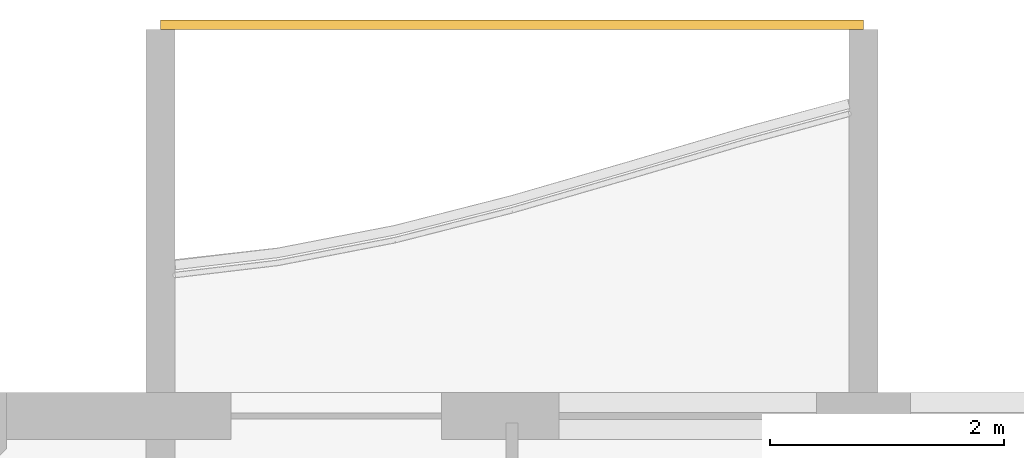
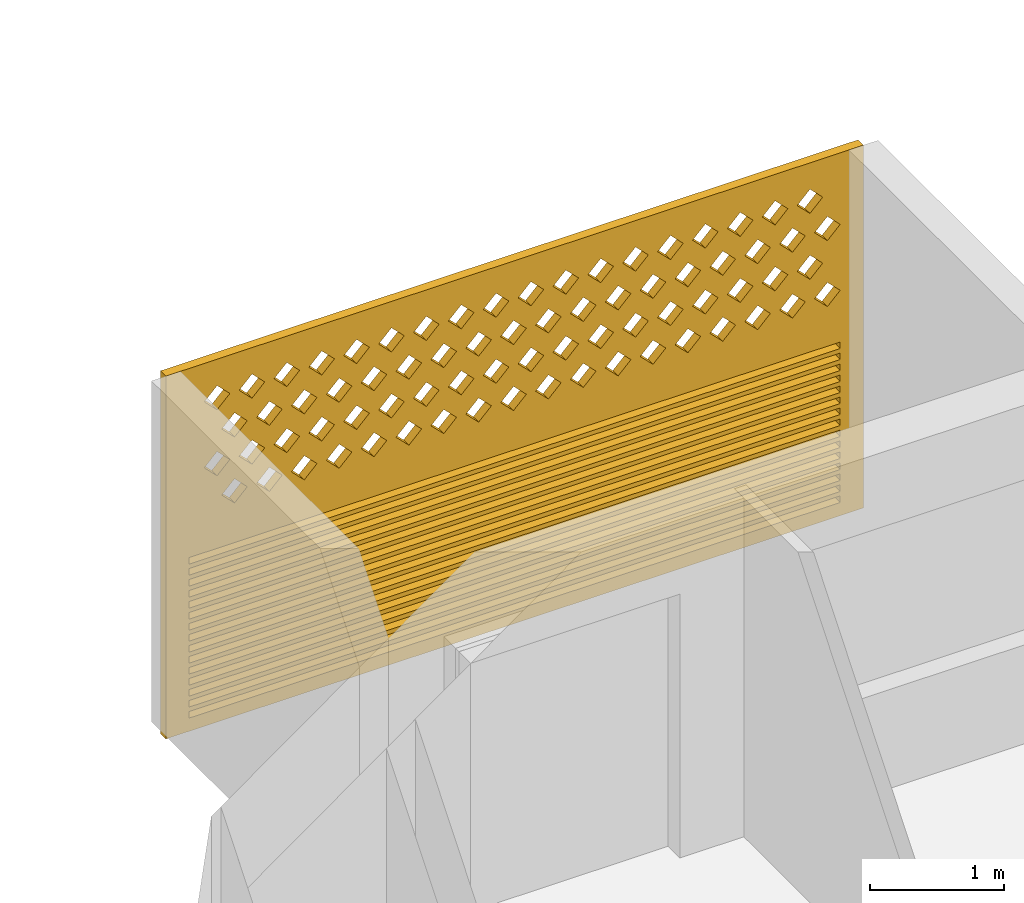
# One storey, part 16 of 26: 1 covering.
"""IFC4 building model written with IfcOpenShell, lengths in metres."""

from ifc_helpers import new_model, si_unit, direction, frame, origin, place, context, subcontext, project, spatial, polyline, outline, extrude, source, transform, mapped, material, material_profile, profile_set, type_object, element, save


model = new_model("IFC4")

# Units and contexts
model_context = context("Model", 3, precision=1e-05, world=origin(), true_north=direction((0.0, 1.0)))
body_context = subcontext(model_context, "Body", "Model", "MODEL_VIEW")
ifc_project = project(units=[si_unit("LENGTHUNIT", "METRE"), si_unit("AREAUNIT", "SQUARE_METRE"), si_unit("VOLUMEUNIT", "CUBIC_METRE"), si_unit("PLANEANGLEUNIT", "RADIAN"), si_unit("MASSUNIT", "GRAM", prefix="KILO")], contexts=[model_context])

# Site, building, storey
site_placement = place(None, origin())
site = spatial("IfcSite", under=ifc_project, at=site_placement, CompositionType="ELEMENT")
building_placement = place(site_placement, origin())
building = spatial("IfcBuilding", under=site, at=building_placement, Name="Poui Terraces", CompositionType="ELEMENT")
storey_placement = place(building_placement, frame((0.0, 0.0, 247.800048828125)))
storey = spatial("IfcBuildingStorey", under=building, at=storey_placement, Name="L69", CompositionType="ELEMENT", Elevation=247.800048828125)

# Covering
ifc_material = material(Name="Terracotta screen", Category="masonry")
ifc_material_profile = material_profile(ifc_material, outline(polyline([(-3.0, -1.64990234375), (3.0, -1.64990234375), (3.0, 1.64990234375), (-3.0, 1.64990234375), (-3.0, -1.64990234375)]), holes=[polyline([(-2.800048828125, 0.39990234375), (-2.68994140625, 0.2900390625), (-2.580078125, 0.39990234375), (-2.68994140625, 0.510009765625), (-2.800048828125, 0.39990234375)]), polyline([(-2.5, 0.39990234375), (-2.389892578125, 0.2900390625), (-2.280029296875, 0.39990234375), (-2.389892578125, 0.510009765625), (-2.5, 0.39990234375)]), polyline([(-2.199951171875, 0.39990234375), (-2.090087890625, 0.2900390625), (-1.97998046875, 0.39990234375), (-2.090087890625, 0.510009765625), (-2.199951171875, 0.39990234375)]), polyline([(-1.89990234375, 0.39990234375), (-1.7900390625, 0.2900390625), (-1.679931640625, 0.39990234375), (-1.7900390625, 0.510009765625), (-1.89990234375, 0.39990234375)]), polyline([(-1.60009765625, 0.39990234375), (-1.489990234375, 0.2900390625), (-1.3798828125, 0.39990234375), (-1.489990234375, 0.510009765625), (-1.60009765625, 0.39990234375)]), polyline([(-1.300048828125, 0.39990234375), (-1.18994140625, 0.2900390625), (-1.080078125, 0.39990234375), (-1.18994140625, 0.510009765625), (-1.300048828125, 0.39990234375)]), polyline([(-1.0, 0.39990234375), (-0.889892578125, 0.2900390625), (-0.780029296875, 0.39990234375), (-0.889892578125, 0.510009765625), (-1.0, 0.39990234375)]), polyline([(-0.699951171875, 0.39990234375), (-0.590087890625, 0.2900390625), (-0.47998046875, 0.39990234375), (-0.590087890625, 0.510009765625), (-0.699951171875, 0.39990234375)]), polyline([(-0.39990234375, 0.39990234375), (-0.2900390625, 0.2900390625), (-0.179931640625, 0.39990234375), (-0.2900390625, 0.510009765625), (-0.39990234375, 0.39990234375)]), polyline([(-0.10009765625, 0.39990234375), (0.010009765625, 0.2900390625), (0.1201171875, 0.39990234375), (0.010009765625, 0.510009765625), (-0.10009765625, 0.39990234375)]), polyline([(0.199951171875, 0.39990234375), (0.31005859375, 0.2900390625), (0.419921875, 0.39990234375), (0.31005859375, 0.510009765625), (0.199951171875, 0.39990234375)]), polyline([(0.5, 0.39990234375), (0.610107421875, 0.2900390625), (0.719970703125, 0.39990234375), (0.610107421875, 0.510009765625), (0.5, 0.39990234375)]), polyline([(0.800048828125, 0.39990234375), (0.909912109375, 0.2900390625), (1.02001953125, 0.39990234375), (0.909912109375, 0.510009765625), (0.800048828125, 0.39990234375)]), polyline([(1.10009765625, 0.39990234375), (1.2099609375, 0.2900390625), (1.320068359375, 0.39990234375), (1.2099609375, 0.510009765625), (1.10009765625, 0.39990234375)]), polyline([(1.39990234375, 0.39990234375), (1.510009765625, 0.2900390625), (1.6201171875, 0.39990234375), (1.510009765625, 0.510009765625), (1.39990234375, 0.39990234375)]), polyline([(1.699951171875, 0.39990234375), (1.81005859375, 0.2900390625), (1.919921875, 0.39990234375), (1.81005859375, 0.510009765625), (1.699951171875, 0.39990234375)]), polyline([(2.0, 0.39990234375), (2.110107421875, 0.2900390625), (2.219970703125, 0.39990234375), (2.110107421875, 0.510009765625), (2.0, 0.39990234375)]), polyline([(2.300048828125, 0.39990234375), (2.409912109375, 0.2900390625), (2.52001953125, 0.39990234375), (2.409912109375, 0.510009765625), (2.300048828125, 0.39990234375)]), polyline([(-2.64990234375, 0.699951171875), (-2.5400390625, 0.590087890625), (-2.429931640625, 0.699951171875), (-2.5400390625, 0.81005859375), (-2.64990234375, 0.699951171875)]), polyline([(-2.35009765625, 0.699951171875), (-2.239990234375, 0.590087890625), (-2.1298828125, 0.699951171875), (-2.239990234375, 0.81005859375), (-2.35009765625, 0.699951171875)]), polyline([(-2.050048828125, 0.699951171875), (-1.93994140625, 0.590087890625), (-1.830078125, 0.699951171875), (-1.93994140625, 0.81005859375), (-2.050048828125, 0.699951171875)]), polyline([(-1.75, 0.699951171875), (-1.639892578125, 0.590087890625), (-1.530029296875, 0.699951171875), (-1.639892578125, 0.81005859375), (-1.75, 0.699951171875)]), polyline([(-1.449951171875, 0.699951171875), (-1.340087890625, 0.590087890625), (-1.22998046875, 0.699951171875), (-1.340087890625, 0.81005859375), (-1.449951171875, 0.699951171875)]), polyline([(-1.14990234375, 0.699951171875), (-1.0400390625, 0.590087890625), (-0.929931640625, 0.699951171875), (-1.0400390625, 0.81005859375), (-1.14990234375, 0.699951171875)]), polyline([(-0.85009765625, 0.699951171875), (-0.739990234375, 0.590087890625), (-0.6298828125, 0.699951171875), (-0.739990234375, 0.81005859375), (-0.85009765625, 0.699951171875)]), polyline([(-0.550048828125, 0.699951171875), (-0.43994140625, 0.590087890625), (-0.330078125, 0.699951171875), (-0.43994140625, 0.81005859375), (-0.550048828125, 0.699951171875)]), polyline([(-0.25, 0.699951171875), (-0.139892578125, 0.590087890625), (-0.030029296875, 0.699951171875), (-0.139892578125, 0.81005859375), (-0.25, 0.699951171875)]), polyline([(0.050048828125, 0.699951171875), (0.159912109375, 0.590087890625), (0.27001953125, 0.699951171875), (0.159912109375, 0.81005859375), (0.050048828125, 0.699951171875)]), polyline([(0.35009765625, 0.699951171875), (0.4599609375, 0.590087890625), (0.570068359375, 0.699951171875), (0.4599609375, 0.81005859375), (0.35009765625, 0.699951171875)]), polyline([(0.64990234375, 0.699951171875), (0.760009765625, 0.590087890625), (0.8701171875, 0.699951171875), (0.760009765625, 0.81005859375), (0.64990234375, 0.699951171875)]), polyline([(0.949951171875, 0.699951171875), (1.06005859375, 0.590087890625), (1.169921875, 0.699951171875), (1.06005859375, 0.81005859375), (0.949951171875, 0.699951171875)]), polyline([(1.25, 0.699951171875), (1.360107421875, 0.590087890625), (1.469970703125, 0.699951171875), (1.360107421875, 0.81005859375), (1.25, 0.699951171875)]), polyline([(1.550048828125, 0.699951171875), (1.659912109375, 0.590087890625), (1.77001953125, 0.699951171875), (1.659912109375, 0.81005859375), (1.550048828125, 0.699951171875)]), polyline([(1.85009765625, 0.699951171875), (1.9599609375, 0.590087890625), (2.070068359375, 0.699951171875), (1.9599609375, 0.81005859375), (1.85009765625, 0.699951171875)]), polyline([(2.14990234375, 0.699951171875), (2.260009765625, 0.590087890625), (2.3701171875, 0.699951171875), (2.260009765625, 0.81005859375), (2.14990234375, 0.699951171875)]), polyline([(2.449951171875, 0.699951171875), (2.56005859375, 0.590087890625), (2.669921875, 0.699951171875), (2.56005859375, 0.81005859375), (2.449951171875, 0.699951171875)]), polyline([(-2.800048828125, 1.0), (-2.68994140625, 0.889892578125), (-2.580078125, 1.0), (-2.68994140625, 1.110107421875), (-2.800048828125, 1.0)]), polyline([(-2.5, 1.0), (-2.389892578125, 0.889892578125), (-2.280029296875, 1.0), (-2.389892578125, 1.110107421875), (-2.5, 1.0)]), polyline([(-2.199951171875, 1.0), (-2.090087890625, 0.889892578125), (-1.97998046875, 1.0), (-2.090087890625, 1.110107421875), (-2.199951171875, 1.0)]), polyline([(-1.89990234375, 1.0), (-1.7900390625, 0.889892578125), (-1.679931640625, 1.0), (-1.7900390625, 1.110107421875), (-1.89990234375, 1.0)]), polyline([(-1.60009765625, 1.0), (-1.489990234375, 0.889892578125), (-1.3798828125, 1.0), (-1.489990234375, 1.110107421875), (-1.60009765625, 1.0)]), polyline([(-1.300048828125, 1.0), (-1.18994140625, 0.889892578125), (-1.080078125, 1.0), (-1.18994140625, 1.110107421875), (-1.300048828125, 1.0)]), polyline([(-1.0, 1.0), (-0.889892578125, 0.889892578125), (-0.780029296875, 1.0), (-0.889892578125, 1.110107421875), (-1.0, 1.0)]), polyline([(-0.699951171875, 1.0), (-0.590087890625, 0.889892578125), (-0.47998046875, 1.0), (-0.590087890625, 1.110107421875), (-0.699951171875, 1.0)]), polyline([(-0.39990234375, 1.0), (-0.2900390625, 0.889892578125), (-0.179931640625, 1.0), (-0.2900390625, 1.110107421875), (-0.39990234375, 1.0)]), polyline([(-0.10009765625, 1.0), (0.010009765625, 0.889892578125), (0.1201171875, 1.0), (0.010009765625, 1.110107421875), (-0.10009765625, 1.0)]), polyline([(0.199951171875, 1.0), (0.31005859375, 0.889892578125), (0.419921875, 1.0), (0.31005859375, 1.110107421875), (0.199951171875, 1.0)]), polyline([(0.5, 1.0), (0.610107421875, 0.889892578125), (0.719970703125, 1.0), (0.610107421875, 1.110107421875), (0.5, 1.0)]), polyline([(0.800048828125, 1.0), (0.909912109375, 0.889892578125), (1.02001953125, 1.0), (0.909912109375, 1.110107421875), (0.800048828125, 1.0)]), polyline([(1.10009765625, 1.0), (1.2099609375, 0.889892578125), (1.320068359375, 1.0), (1.2099609375, 1.110107421875), (1.10009765625, 1.0)]), polyline([(1.39990234375, 1.0), (1.510009765625, 0.889892578125), (1.6201171875, 1.0), (1.510009765625, 1.110107421875), (1.39990234375, 1.0)]), polyline([(1.699951171875, 1.0), (1.81005859375, 0.889892578125), (1.919921875, 1.0), (1.81005859375, 1.110107421875), (1.699951171875, 1.0)]), polyline([(2.0, 1.0), (2.110107421875, 0.889892578125), (2.219970703125, 1.0), (2.110107421875, 1.110107421875), (2.0, 1.0)]), polyline([(2.300048828125, 1.0), (2.409912109375, 0.889892578125), (2.52001953125, 1.0), (2.409912109375, 1.110107421875), (2.300048828125, 1.0)]), polyline([(-2.64990234375, 1.300048828125), (-2.5400390625, 1.18994140625), (-2.429931640625, 1.300048828125), (-2.5400390625, 1.409912109375), (-2.64990234375, 1.300048828125)]), polyline([(-2.35009765625, 1.300048828125), (-2.239990234375, 1.18994140625), (-2.1298828125, 1.300048828125), (-2.239990234375, 1.409912109375), (-2.35009765625, 1.300048828125)]), polyline([(-2.050048828125, 1.300048828125), (-1.93994140625, 1.18994140625), (-1.830078125, 1.300048828125), (-1.93994140625, 1.409912109375), (-2.050048828125, 1.300048828125)]), polyline([(-1.75, 1.300048828125), (-1.639892578125, 1.18994140625), (-1.530029296875, 1.300048828125), (-1.639892578125, 1.409912109375), (-1.75, 1.300048828125)]), polyline([(-1.449951171875, 1.300048828125), (-1.340087890625, 1.18994140625), (-1.22998046875, 1.300048828125), (-1.340087890625, 1.409912109375), (-1.449951171875, 1.300048828125)]), polyline([(-1.14990234375, 1.300048828125), (-1.0400390625, 1.18994140625), (-0.929931640625, 1.300048828125), (-1.0400390625, 1.409912109375), (-1.14990234375, 1.300048828125)]), polyline([(-0.85009765625, 1.300048828125), (-0.739990234375, 1.18994140625), (-0.6298828125, 1.300048828125), (-0.739990234375, 1.409912109375), (-0.85009765625, 1.300048828125)]), polyline([(-0.550048828125, 1.300048828125), (-0.43994140625, 1.18994140625), (-0.330078125, 1.300048828125), (-0.43994140625, 1.409912109375), (-0.550048828125, 1.300048828125)]), polyline([(-0.25, 1.300048828125), (-0.139892578125, 1.18994140625), (-0.030029296875, 1.300048828125), (-0.139892578125, 1.409912109375), (-0.25, 1.300048828125)]), polyline([(0.050048828125, 1.300048828125), (0.159912109375, 1.18994140625), (0.27001953125, 1.300048828125), (0.159912109375, 1.409912109375), (0.050048828125, 1.300048828125)]), polyline([(0.35009765625, 1.300048828125), (0.4599609375, 1.18994140625), (0.570068359375, 1.300048828125), (0.4599609375, 1.409912109375), (0.35009765625, 1.300048828125)]), polyline([(0.64990234375, 1.300048828125), (0.760009765625, 1.18994140625), (0.8701171875, 1.300048828125), (0.760009765625, 1.409912109375), (0.64990234375, 1.300048828125)]), polyline([(0.949951171875, 1.300048828125), (1.06005859375, 1.18994140625), (1.169921875, 1.300048828125), (1.06005859375, 1.409912109375), (0.949951171875, 1.300048828125)]), polyline([(1.25, 1.300048828125), (1.360107421875, 1.18994140625), (1.469970703125, 1.300048828125), (1.360107421875, 1.409912109375), (1.25, 1.300048828125)]), polyline([(1.550048828125, 1.300048828125), (1.659912109375, 1.18994140625), (1.77001953125, 1.300048828125), (1.659912109375, 1.409912109375), (1.550048828125, 1.300048828125)]), polyline([(1.85009765625, 1.300048828125), (1.9599609375, 1.18994140625), (2.070068359375, 1.300048828125), (1.9599609375, 1.409912109375), (1.85009765625, 1.300048828125)]), polyline([(2.14990234375, 1.300048828125), (2.260009765625, 1.18994140625), (2.3701171875, 1.300048828125), (2.260009765625, 1.409912109375), (2.14990234375, 1.300048828125)]), polyline([(2.449951171875, 1.300048828125), (2.56005859375, 1.18994140625), (2.669921875, 1.300048828125), (2.56005859375, 1.409912109375), (2.449951171875, 1.300048828125)]), polyline([(-2.800048828125, -1.530029296875), (2.800048828125, -1.530029296875), (2.800048828125, -1.469970703125), (-2.800048828125, -1.469970703125), (-2.800048828125, -1.530029296875)]), polyline([(-2.800048828125, -1.429931640625), (2.800048828125, -1.429931640625), (2.800048828125, -1.3701171875), (-2.800048828125, -1.3701171875), (-2.800048828125, -1.429931640625)]), polyline([(-2.800048828125, -1.330078125), (2.800048828125, -1.330078125), (2.800048828125, -1.27001953125), (-2.800048828125, -1.27001953125), (-2.800048828125, -1.330078125)]), polyline([(-2.800048828125, -1.22998046875), (2.800048828125, -1.22998046875), (2.800048828125, -1.169921875), (-2.800048828125, -1.169921875), (-2.800048828125, -1.22998046875)]), polyline([(-2.800048828125, -1.1298828125), (2.800048828125, -1.1298828125), (2.800048828125, -1.070068359375), (-2.800048828125, -1.070068359375), (-2.800048828125, -1.1298828125)]), polyline([(-2.800048828125, -1.030029296875), (2.800048828125, -1.030029296875), (2.800048828125, -0.969970703125), (-2.800048828125, -0.969970703125), (-2.800048828125, -1.030029296875)]), polyline([(-2.800048828125, -0.929931640625), (2.800048828125, -0.929931640625), (2.800048828125, -0.8701171875), (-2.800048828125, -0.8701171875), (-2.800048828125, -0.929931640625)]), polyline([(-2.800048828125, -0.830078125), (2.800048828125, -0.830078125), (2.800048828125, -0.77001953125), (-2.800048828125, -0.77001953125), (-2.800048828125, -0.830078125)]), polyline([(-2.800048828125, -0.72998046875), (2.800048828125, -0.72998046875), (2.800048828125, -0.669921875), (-2.800048828125, -0.669921875), (-2.800048828125, -0.72998046875)]), polyline([(-2.800048828125, -0.6298828125), (2.800048828125, -0.6298828125), (2.800048828125, -0.570068359375), (-2.800048828125, -0.570068359375), (-2.800048828125, -0.6298828125)]), polyline([(-2.800048828125, -0.530029296875), (2.800048828125, -0.530029296875), (2.800048828125, -0.469970703125), (-2.800048828125, -0.469970703125), (-2.800048828125, -0.530029296875)]), polyline([(-2.800048828125, -0.429931640625), (2.800048828125, -0.429931640625), (2.800048828125, -0.3701171875), (-2.800048828125, -0.3701171875), (-2.800048828125, -0.429931640625)]), polyline([(-2.800048828125, -0.330078125), (2.800048828125, -0.330078125), (2.800048828125, -0.27001953125), (-2.800048828125, -0.27001953125), (-2.800048828125, -0.330078125)]), polyline([(-2.800048828125, -0.22998046875), (2.800048828125, -0.22998046875), (2.800048828125, -0.169921875), (-2.800048828125, -0.169921875), (-2.800048828125, -0.22998046875)]), polyline([(-2.800048828125, -0.1298828125), (2.800048828125, -0.1298828125), (2.800048828125, -0.070068359375), (-2.800048828125, -0.070068359375), (-2.800048828125, -0.1298828125)])]), Name="TERRACOTTA SCREEN AND JALOUSIE LOUVRE 6000X3300")
ifc_profile_set = profile_set([ifc_material_profile], Name="Terracotta screen")
covering_type = type_object("IfcCoveringType", Name="TERRACOTTA SCREEN AND JALOUSIE LOUVRE 6000X3300", PredefinedType="CLADDING", material=ifc_profile_set)
shared_shape = source(origin(), body_context, "Body", "SweptSolid", [
    extrude(outline(polyline([(-3.0, -1.64990234375), (3.0, -1.64990234375), (3.0, 1.64990234375), (-3.0, 1.64990234375), (-3.0, -1.64990234375)]), holes=[polyline([(-2.800048828125, 0.39990234375), (-2.68994140625, 0.2900390625), (-2.580078125, 0.39990234375), (-2.68994140625, 0.510009765625), (-2.800048828125, 0.39990234375)]), polyline([(-2.5, 0.39990234375), (-2.389892578125, 0.2900390625), (-2.280029296875, 0.39990234375), (-2.389892578125, 0.510009765625), (-2.5, 0.39990234375)]), polyline([(-2.199951171875, 0.39990234375), (-2.090087890625, 0.2900390625), (-1.97998046875, 0.39990234375), (-2.090087890625, 0.510009765625), (-2.199951171875, 0.39990234375)]), polyline([(-1.89990234375, 0.39990234375), (-1.7900390625, 0.2900390625), (-1.679931640625, 0.39990234375), (-1.7900390625, 0.510009765625), (-1.89990234375, 0.39990234375)]), polyline([(-1.60009765625, 0.39990234375), (-1.489990234375, 0.2900390625), (-1.3798828125, 0.39990234375), (-1.489990234375, 0.510009765625), (-1.60009765625, 0.39990234375)]), polyline([(-1.300048828125, 0.39990234375), (-1.18994140625, 0.2900390625), (-1.080078125, 0.39990234375), (-1.18994140625, 0.510009765625), (-1.300048828125, 0.39990234375)]), polyline([(-1.0, 0.39990234375), (-0.889892578125, 0.2900390625), (-0.780029296875, 0.39990234375), (-0.889892578125, 0.510009765625), (-1.0, 0.39990234375)]), polyline([(-0.699951171875, 0.39990234375), (-0.590087890625, 0.2900390625), (-0.47998046875, 0.39990234375), (-0.590087890625, 0.510009765625), (-0.699951171875, 0.39990234375)]), polyline([(-0.39990234375, 0.39990234375), (-0.2900390625, 0.2900390625), (-0.179931640625, 0.39990234375), (-0.2900390625, 0.510009765625), (-0.39990234375, 0.39990234375)]), polyline([(-0.10009765625, 0.39990234375), (0.010009765625, 0.2900390625), (0.1201171875, 0.39990234375), (0.010009765625, 0.510009765625), (-0.10009765625, 0.39990234375)]), polyline([(0.199951171875, 0.39990234375), (0.31005859375, 0.2900390625), (0.419921875, 0.39990234375), (0.31005859375, 0.510009765625), (0.199951171875, 0.39990234375)]), polyline([(0.5, 0.39990234375), (0.610107421875, 0.2900390625), (0.719970703125, 0.39990234375), (0.610107421875, 0.510009765625), (0.5, 0.39990234375)]), polyline([(0.800048828125, 0.39990234375), (0.909912109375, 0.2900390625), (1.02001953125, 0.39990234375), (0.909912109375, 0.510009765625), (0.800048828125, 0.39990234375)]), polyline([(1.10009765625, 0.39990234375), (1.2099609375, 0.2900390625), (1.320068359375, 0.39990234375), (1.2099609375, 0.510009765625), (1.10009765625, 0.39990234375)]), polyline([(1.39990234375, 0.39990234375), (1.510009765625, 0.2900390625), (1.6201171875, 0.39990234375), (1.510009765625, 0.510009765625), (1.39990234375, 0.39990234375)]), polyline([(1.699951171875, 0.39990234375), (1.81005859375, 0.2900390625), (1.919921875, 0.39990234375), (1.81005859375, 0.510009765625), (1.699951171875, 0.39990234375)]), polyline([(2.0, 0.39990234375), (2.110107421875, 0.2900390625), (2.219970703125, 0.39990234375), (2.110107421875, 0.510009765625), (2.0, 0.39990234375)]), polyline([(2.300048828125, 0.39990234375), (2.409912109375, 0.2900390625), (2.52001953125, 0.39990234375), (2.409912109375, 0.510009765625), (2.300048828125, 0.39990234375)]), polyline([(-2.64990234375, 0.699951171875), (-2.5400390625, 0.590087890625), (-2.429931640625, 0.699951171875), (-2.5400390625, 0.81005859375), (-2.64990234375, 0.699951171875)]), polyline([(-2.35009765625, 0.699951171875), (-2.239990234375, 0.590087890625), (-2.1298828125, 0.699951171875), (-2.239990234375, 0.81005859375), (-2.35009765625, 0.699951171875)]), polyline([(-2.050048828125, 0.699951171875), (-1.93994140625, 0.590087890625), (-1.830078125, 0.699951171875), (-1.93994140625, 0.81005859375), (-2.050048828125, 0.699951171875)]), polyline([(-1.75, 0.699951171875), (-1.639892578125, 0.590087890625), (-1.530029296875, 0.699951171875), (-1.639892578125, 0.81005859375), (-1.75, 0.699951171875)]), polyline([(-1.449951171875, 0.699951171875), (-1.340087890625, 0.590087890625), (-1.22998046875, 0.699951171875), (-1.340087890625, 0.81005859375), (-1.449951171875, 0.699951171875)]), polyline([(-1.14990234375, 0.699951171875), (-1.0400390625, 0.590087890625), (-0.929931640625, 0.699951171875), (-1.0400390625, 0.81005859375), (-1.14990234375, 0.699951171875)]), polyline([(-0.85009765625, 0.699951171875), (-0.739990234375, 0.590087890625), (-0.6298828125, 0.699951171875), (-0.739990234375, 0.81005859375), (-0.85009765625, 0.699951171875)]), polyline([(-0.550048828125, 0.699951171875), (-0.43994140625, 0.590087890625), (-0.330078125, 0.699951171875), (-0.43994140625, 0.81005859375), (-0.550048828125, 0.699951171875)]), polyline([(-0.25, 0.699951171875), (-0.139892578125, 0.590087890625), (-0.030029296875, 0.699951171875), (-0.139892578125, 0.81005859375), (-0.25, 0.699951171875)]), polyline([(0.050048828125, 0.699951171875), (0.159912109375, 0.590087890625), (0.27001953125, 0.699951171875), (0.159912109375, 0.81005859375), (0.050048828125, 0.699951171875)]), polyline([(0.35009765625, 0.699951171875), (0.4599609375, 0.590087890625), (0.570068359375, 0.699951171875), (0.4599609375, 0.81005859375), (0.35009765625, 0.699951171875)]), polyline([(0.64990234375, 0.699951171875), (0.760009765625, 0.590087890625), (0.8701171875, 0.699951171875), (0.760009765625, 0.81005859375), (0.64990234375, 0.699951171875)]), polyline([(0.949951171875, 0.699951171875), (1.06005859375, 0.590087890625), (1.169921875, 0.699951171875), (1.06005859375, 0.81005859375), (0.949951171875, 0.699951171875)]), polyline([(1.25, 0.699951171875), (1.360107421875, 0.590087890625), (1.469970703125, 0.699951171875), (1.360107421875, 0.81005859375), (1.25, 0.699951171875)]), polyline([(1.550048828125, 0.699951171875), (1.659912109375, 0.590087890625), (1.77001953125, 0.699951171875), (1.659912109375, 0.81005859375), (1.550048828125, 0.699951171875)]), polyline([(1.85009765625, 0.699951171875), (1.9599609375, 0.590087890625), (2.070068359375, 0.699951171875), (1.9599609375, 0.81005859375), (1.85009765625, 0.699951171875)]), polyline([(2.14990234375, 0.699951171875), (2.260009765625, 0.590087890625), (2.3701171875, 0.699951171875), (2.260009765625, 0.81005859375), (2.14990234375, 0.699951171875)]), polyline([(2.449951171875, 0.699951171875), (2.56005859375, 0.590087890625), (2.669921875, 0.699951171875), (2.56005859375, 0.81005859375), (2.449951171875, 0.699951171875)]), polyline([(-2.800048828125, 1.0), (-2.68994140625, 0.889892578125), (-2.580078125, 1.0), (-2.68994140625, 1.110107421875), (-2.800048828125, 1.0)]), polyline([(-2.5, 1.0), (-2.389892578125, 0.889892578125), (-2.280029296875, 1.0), (-2.389892578125, 1.110107421875), (-2.5, 1.0)]), polyline([(-2.199951171875, 1.0), (-2.090087890625, 0.889892578125), (-1.97998046875, 1.0), (-2.090087890625, 1.110107421875), (-2.199951171875, 1.0)]), polyline([(-1.89990234375, 1.0), (-1.7900390625, 0.889892578125), (-1.679931640625, 1.0), (-1.7900390625, 1.110107421875), (-1.89990234375, 1.0)]), polyline([(-1.60009765625, 1.0), (-1.489990234375, 0.889892578125), (-1.3798828125, 1.0), (-1.489990234375, 1.110107421875), (-1.60009765625, 1.0)]), polyline([(-1.300048828125, 1.0), (-1.18994140625, 0.889892578125), (-1.080078125, 1.0), (-1.18994140625, 1.110107421875), (-1.300048828125, 1.0)]), polyline([(-1.0, 1.0), (-0.889892578125, 0.889892578125), (-0.780029296875, 1.0), (-0.889892578125, 1.110107421875), (-1.0, 1.0)]), polyline([(-0.699951171875, 1.0), (-0.590087890625, 0.889892578125), (-0.47998046875, 1.0), (-0.590087890625, 1.110107421875), (-0.699951171875, 1.0)]), polyline([(-0.39990234375, 1.0), (-0.2900390625, 0.889892578125), (-0.179931640625, 1.0), (-0.2900390625, 1.110107421875), (-0.39990234375, 1.0)]), polyline([(-0.10009765625, 1.0), (0.010009765625, 0.889892578125), (0.1201171875, 1.0), (0.010009765625, 1.110107421875), (-0.10009765625, 1.0)]), polyline([(0.199951171875, 1.0), (0.31005859375, 0.889892578125), (0.419921875, 1.0), (0.31005859375, 1.110107421875), (0.199951171875, 1.0)]), polyline([(0.5, 1.0), (0.610107421875, 0.889892578125), (0.719970703125, 1.0), (0.610107421875, 1.110107421875), (0.5, 1.0)]), polyline([(0.800048828125, 1.0), (0.909912109375, 0.889892578125), (1.02001953125, 1.0), (0.909912109375, 1.110107421875), (0.800048828125, 1.0)]), polyline([(1.10009765625, 1.0), (1.2099609375, 0.889892578125), (1.320068359375, 1.0), (1.2099609375, 1.110107421875), (1.10009765625, 1.0)]), polyline([(1.39990234375, 1.0), (1.510009765625, 0.889892578125), (1.6201171875, 1.0), (1.510009765625, 1.110107421875), (1.39990234375, 1.0)]), polyline([(1.699951171875, 1.0), (1.81005859375, 0.889892578125), (1.919921875, 1.0), (1.81005859375, 1.110107421875), (1.699951171875, 1.0)]), polyline([(2.0, 1.0), (2.110107421875, 0.889892578125), (2.219970703125, 1.0), (2.110107421875, 1.110107421875), (2.0, 1.0)]), polyline([(2.300048828125, 1.0), (2.409912109375, 0.889892578125), (2.52001953125, 1.0), (2.409912109375, 1.110107421875), (2.300048828125, 1.0)]), polyline([(-2.64990234375, 1.300048828125), (-2.5400390625, 1.18994140625), (-2.429931640625, 1.300048828125), (-2.5400390625, 1.409912109375), (-2.64990234375, 1.300048828125)]), polyline([(-2.35009765625, 1.300048828125), (-2.239990234375, 1.18994140625), (-2.1298828125, 1.300048828125), (-2.239990234375, 1.409912109375), (-2.35009765625, 1.300048828125)]), polyline([(-2.050048828125, 1.300048828125), (-1.93994140625, 1.18994140625), (-1.830078125, 1.300048828125), (-1.93994140625, 1.409912109375), (-2.050048828125, 1.300048828125)]), polyline([(-1.75, 1.300048828125), (-1.639892578125, 1.18994140625), (-1.530029296875, 1.300048828125), (-1.639892578125, 1.409912109375), (-1.75, 1.300048828125)]), polyline([(-1.449951171875, 1.300048828125), (-1.340087890625, 1.18994140625), (-1.22998046875, 1.300048828125), (-1.340087890625, 1.409912109375), (-1.449951171875, 1.300048828125)]), polyline([(-1.14990234375, 1.300048828125), (-1.0400390625, 1.18994140625), (-0.929931640625, 1.300048828125), (-1.0400390625, 1.409912109375), (-1.14990234375, 1.300048828125)]), polyline([(-0.85009765625, 1.300048828125), (-0.739990234375, 1.18994140625), (-0.6298828125, 1.300048828125), (-0.739990234375, 1.409912109375), (-0.85009765625, 1.300048828125)]), polyline([(-0.550048828125, 1.300048828125), (-0.43994140625, 1.18994140625), (-0.330078125, 1.300048828125), (-0.43994140625, 1.409912109375), (-0.550048828125, 1.300048828125)]), polyline([(-0.25, 1.300048828125), (-0.139892578125, 1.18994140625), (-0.030029296875, 1.300048828125), (-0.139892578125, 1.409912109375), (-0.25, 1.300048828125)]), polyline([(0.050048828125, 1.300048828125), (0.159912109375, 1.18994140625), (0.27001953125, 1.300048828125), (0.159912109375, 1.409912109375), (0.050048828125, 1.300048828125)]), polyline([(0.35009765625, 1.300048828125), (0.4599609375, 1.18994140625), (0.570068359375, 1.300048828125), (0.4599609375, 1.409912109375), (0.35009765625, 1.300048828125)]), polyline([(0.64990234375, 1.300048828125), (0.760009765625, 1.18994140625), (0.8701171875, 1.300048828125), (0.760009765625, 1.409912109375), (0.64990234375, 1.300048828125)]), polyline([(0.949951171875, 1.300048828125), (1.06005859375, 1.18994140625), (1.169921875, 1.300048828125), (1.06005859375, 1.409912109375), (0.949951171875, 1.300048828125)]), polyline([(1.25, 1.300048828125), (1.360107421875, 1.18994140625), (1.469970703125, 1.300048828125), (1.360107421875, 1.409912109375), (1.25, 1.300048828125)]), polyline([(1.550048828125, 1.300048828125), (1.659912109375, 1.18994140625), (1.77001953125, 1.300048828125), (1.659912109375, 1.409912109375), (1.550048828125, 1.300048828125)]), polyline([(1.85009765625, 1.300048828125), (1.9599609375, 1.18994140625), (2.070068359375, 1.300048828125), (1.9599609375, 1.409912109375), (1.85009765625, 1.300048828125)]), polyline([(2.14990234375, 1.300048828125), (2.260009765625, 1.18994140625), (2.3701171875, 1.300048828125), (2.260009765625, 1.409912109375), (2.14990234375, 1.300048828125)]), polyline([(2.449951171875, 1.300048828125), (2.56005859375, 1.18994140625), (2.669921875, 1.300048828125), (2.56005859375, 1.409912109375), (2.449951171875, 1.300048828125)]), polyline([(-2.800048828125, -1.530029296875), (2.800048828125, -1.530029296875), (2.800048828125, -1.469970703125), (-2.800048828125, -1.469970703125), (-2.800048828125, -1.530029296875)]), polyline([(-2.800048828125, -1.429931640625), (2.800048828125, -1.429931640625), (2.800048828125, -1.3701171875), (-2.800048828125, -1.3701171875), (-2.800048828125, -1.429931640625)]), polyline([(-2.800048828125, -1.330078125), (2.800048828125, -1.330078125), (2.800048828125, -1.27001953125), (-2.800048828125, -1.27001953125), (-2.800048828125, -1.330078125)]), polyline([(-2.800048828125, -1.22998046875), (2.800048828125, -1.22998046875), (2.800048828125, -1.169921875), (-2.800048828125, -1.169921875), (-2.800048828125, -1.22998046875)]), polyline([(-2.800048828125, -1.1298828125), (2.800048828125, -1.1298828125), (2.800048828125, -1.070068359375), (-2.800048828125, -1.070068359375), (-2.800048828125, -1.1298828125)]), polyline([(-2.800048828125, -1.030029296875), (2.800048828125, -1.030029296875), (2.800048828125, -0.969970703125), (-2.800048828125, -0.969970703125), (-2.800048828125, -1.030029296875)]), polyline([(-2.800048828125, -0.929931640625), (2.800048828125, -0.929931640625), (2.800048828125, -0.8701171875), (-2.800048828125, -0.8701171875), (-2.800048828125, -0.929931640625)]), polyline([(-2.800048828125, -0.830078125), (2.800048828125, -0.830078125), (2.800048828125, -0.77001953125), (-2.800048828125, -0.77001953125), (-2.800048828125, -0.830078125)]), polyline([(-2.800048828125, -0.72998046875), (2.800048828125, -0.72998046875), (2.800048828125, -0.669921875), (-2.800048828125, -0.669921875), (-2.800048828125, -0.72998046875)]), polyline([(-2.800048828125, -0.6298828125), (2.800048828125, -0.6298828125), (2.800048828125, -0.570068359375), (-2.800048828125, -0.570068359375), (-2.800048828125, -0.6298828125)]), polyline([(-2.800048828125, -0.530029296875), (2.800048828125, -0.530029296875), (2.800048828125, -0.469970703125), (-2.800048828125, -0.469970703125), (-2.800048828125, -0.530029296875)]), polyline([(-2.800048828125, -0.429931640625), (2.800048828125, -0.429931640625), (2.800048828125, -0.3701171875), (-2.800048828125, -0.3701171875), (-2.800048828125, -0.429931640625)]), polyline([(-2.800048828125, -0.330078125), (2.800048828125, -0.330078125), (2.800048828125, -0.27001953125), (-2.800048828125, -0.27001953125), (-2.800048828125, -0.330078125)]), polyline([(-2.800048828125, -0.22998046875), (2.800048828125, -0.22998046875), (2.800048828125, -0.169921875), (-2.800048828125, -0.169921875), (-2.800048828125, -0.22998046875)]), polyline([(-2.800048828125, -0.1298828125), (2.800048828125, -0.1298828125), (2.800048828125, -0.070068359375), (-2.800048828125, -0.070068359375), (-2.800048828125, -0.1298828125)])]), origin(), (0.0, 0.0, 1.0), 0.080078125),
])
covering_placement = place(storey_placement, frame((27.0, 44.5, 1.449951171875), z_axis=(0.0, 1.0, 0.0), x_axis=(-1.0, 0.0, 0.0)))
element("IfcCovering", 1, at=covering_placement, inside=storey, type_object=covering_type, Name="SOLAR SCREEN AND JALOUSIE LOUVRE", PredefinedType="CLADDING", context=body_context, shape_type="MappedRepresentation", body=[
    mapped(shared_shape, transform((0.0, 0.0, 0.0))),
])

save(model, "model.ifc")
